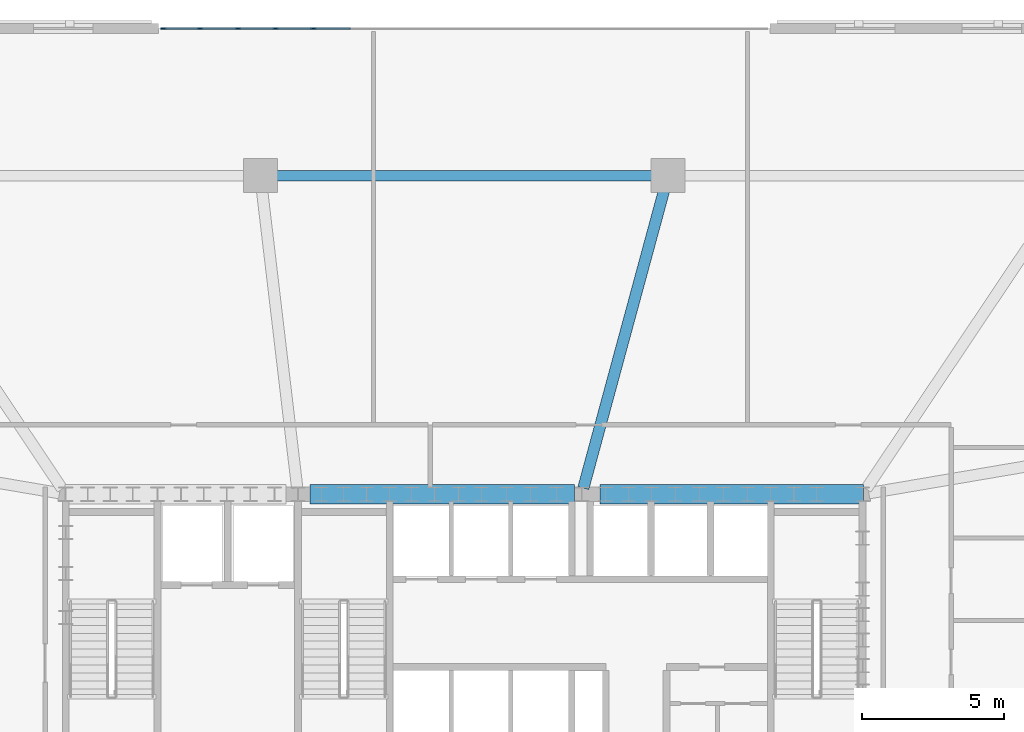
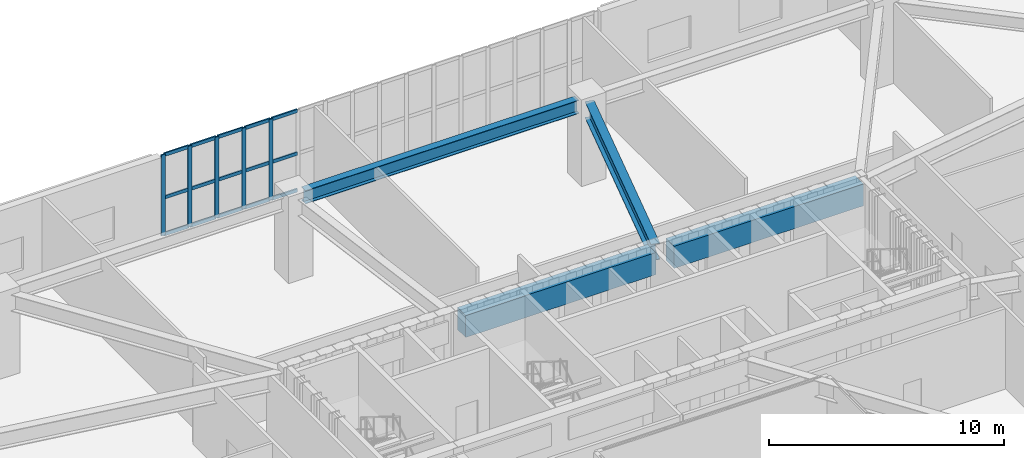
# One storey, part 9 of 25: 20 members, 4 beams, 1 element without a shape of its own.
"""IFC4 building model written with IfcOpenShell, lengths in metres."""

from ifc_helpers import new_model, si_unit, direction, frame, origin, origin_2d, place, context, subcontext, project, spatial, rectangle, i_section, extrude, material, material_profile, profile_set, type_object, element, aggregate, save


model = new_model("IFC4")

# Units and contexts
model_context = context("Model", 3, precision=1e-05, world=origin(), true_north=direction((0.0, 1.0)))
body_context = subcontext(model_context, "Body", "Model", "MODEL_VIEW")
ifc_project = project(units=[si_unit("LENGTHUNIT", "METRE"), si_unit("AREAUNIT", "SQUARE_METRE"), si_unit("VOLUMEUNIT", "CUBIC_METRE"), si_unit("PLANEANGLEUNIT", "RADIAN"), si_unit("MASSUNIT", "GRAM", prefix="KILO")], contexts=[model_context])

# Site, building, storey
site_placement = place(None, origin())
site = spatial("IfcSite", under=ifc_project, at=site_placement, CompositionType="ELEMENT")
building_placement = place(site_placement, origin())
building = spatial("IfcBuilding", under=site, at=building_placement, Name="Haldorwick Loom Tower", CompositionType="ELEMENT")
storey_placement = place(building_placement, frame((0.0, 0.0, 15.0)))
storey = spatial("IfcBuildingStorey", under=building, at=storey_placement, Name="L03", CompositionType="ELEMENT", Elevation=15.0)

# Curtain wall, members
ifc_material_1 = material(Name="Thermally Broken Anodized Aluminium Curtain Wall Framing", Category="aluminium")
curtain_wall_type = type_object("IfcCurtainWallType", Name="ARC-CW-02", PredefinedType="NOTDEFINED", material=ifc_material_1)
curtain_wall_placement = place(storey_placement, origin())
curtain_wall = element("IfcCurtainWall", 1, at=curtain_wall_placement, inside=storey, type_object=curtain_wall_type, Name="L03 Facade Curtain Wall CW-02 Bay 19", PredefinedType="NOTDEFINED")
ifc_material_profile_1 = material_profile(ifc_material_1, rectangle(XDim=0.070068359375, YDim=0.195068359375, at=origin_2d()), Name="ALU_MUL_70X195", Category="aluminium")
ifc_profile_set_1 = profile_set([ifc_material_profile_1], Name="Thermally Broken Anodized Aluminium Curtain Wall Framing")
member_type_1 = type_object("IfcMemberType", Name="ARC-CWM-02", PredefinedType="MULLION", material=ifc_profile_set_1)
member_1_placement = place(storey_placement, frame((30.669921875, 52.0, 0.0), z_axis=(0.0, 0.0, 1.0), x_axis=(0.0, -1.0, 0.0)))
member_1 = element("IfcMember", 2, at=member_1_placement, type_object=member_type_1, Name="CW-02 mullion 13", PredefinedType="MULLION", context=body_context, shape_type="SweptSolid", body=[
    extrude(rectangle(XDim=0.070068359375, YDim=0.195068359375, at=origin_2d()), origin(), (0.0, 0.0, 1.0), 4.199951171875),
])
member_2_placement = place(storey_placement, frame((29.33740234375, 52.0, 0.0), z_axis=(0.0, 0.0, 1.0), x_axis=(0.0, -1.0, 0.0)))
member_2 = element("IfcMember", 3, at=member_2_placement, type_object=member_type_1, Name="CW-02 mullion 14", PredefinedType="MULLION", context=body_context, shape_type="SweptSolid", body=[
    extrude(rectangle(XDim=0.070068359375, YDim=0.195068359375, at=origin_2d()), origin(), (0.0, 0.0, 1.0), 4.199951171875),
])
member_3_placement = place(storey_placement, frame((28.0048828125, 52.0, 0.0), z_axis=(0.0, 0.0, 1.0), x_axis=(0.0, -1.0, 0.0)))
member_3 = element("IfcMember", 4, at=member_3_placement, type_object=member_type_1, Name="CW-02 mullion 15", PredefinedType="MULLION", context=body_context, shape_type="SweptSolid", body=[
    extrude(rectangle(XDim=0.070068359375, YDim=0.195068359375, at=origin_2d()), origin(), (0.0, 0.0, 1.0), 4.199951171875),
])
member_4_placement = place(storey_placement, frame((26.672607421875, 52.0, 0.0), z_axis=(0.0, 0.0, 1.0), x_axis=(0.0, -1.0, 0.0)))
member_4 = element("IfcMember", 5, at=member_4_placement, type_object=member_type_1, Name="CW-02 mullion 16", PredefinedType="MULLION", context=body_context, shape_type="SweptSolid", body=[
    extrude(rectangle(XDim=0.070068359375, YDim=0.195068359375, at=origin_2d()), origin(), (0.0, 0.0, 1.0), 4.199951171875),
])
member_5_placement = place(storey_placement, frame((25.375, 52.0, 0.0), z_axis=(0.0, 0.0, 1.0), x_axis=(0.0, -1.0, 0.0)))
member_5 = element("IfcMember", 6, at=member_5_placement, type_object=member_type_1, Name="CW-02 mullion 17", PredefinedType="MULLION", context=body_context, shape_type="SweptSolid", body=[
    extrude(rectangle(XDim=0.070068359375, YDim=0.195068359375, at=origin_2d()), origin(), (0.0, 0.0, 1.0), 4.199951171875),
])
ifc_material_profile_2 = material_profile(ifc_material_1, rectangle(XDim=0.070068359375, YDim=0.175048828125, at=origin_2d()), Name="ALU_TRN_70X175", Category="aluminium")
ifc_profile_set_2 = profile_set([ifc_material_profile_2], Name="Thermally Broken Anodized Aluminium Curtain Wall Framing")
member_type_2 = type_object("IfcMemberType", Name="ARC-CWT-02", PredefinedType="USERDEFINED", material=ifc_profile_set_2)
member_6_placement = place(storey_placement, frame((31.967529296875, 52.0, 0.034912109375), z_axis=(-1.0, 0.0, 0.0), x_axis=(0.0, -1.0, 0.0)))
member_6 = element("IfcMember", 7, at=member_6_placement, type_object=member_type_2, Name="CW-02 transom 12.1", ObjectType="TRANSOM", PredefinedType="USERDEFINED", context=body_context, shape_type="SweptSolid", body=[
    extrude(rectangle(XDim=0.070068359375, YDim=0.175048828125, at=origin_2d()), origin(), (0.0, 0.0, 1.0), 1.262451171875),
])
member_7_placement = place(storey_placement, frame((31.967529296875, 52.0, 1.949951171875), z_axis=(-1.0, 0.0, 0.0), x_axis=(0.0, -1.0, 0.0)))
member_7 = element("IfcMember", 8, at=member_7_placement, type_object=member_type_2, Name="CW-02 transom 12.2", ObjectType="TRANSOM", PredefinedType="USERDEFINED", context=body_context, shape_type="SweptSolid", body=[
    extrude(rectangle(XDim=0.070068359375, YDim=0.175048828125, at=origin_2d()), origin(), (0.0, 0.0, 1.0), 1.262451171875),
])
member_8_placement = place(storey_placement, frame((31.967529296875, 52.0, 4.1650390625), z_axis=(-1.0, 0.0, 0.0), x_axis=(0.0, -1.0, 0.0)))
member_8 = element("IfcMember", 9, at=member_8_placement, type_object=member_type_2, Name="CW-02 transom 12.3", ObjectType="TRANSOM", PredefinedType="USERDEFINED", context=body_context, shape_type="SweptSolid", body=[
    extrude(rectangle(XDim=0.070068359375, YDim=0.175048828125, at=origin_2d()), origin(), (0.0, 0.0, 1.0), 1.262451171875),
])
member_9_placement = place(storey_placement, frame((30.635009765625, 52.0, 0.034912109375), z_axis=(-1.0, 0.0, 0.0), x_axis=(0.0, -1.0, 0.0)))
member_9 = element("IfcMember", 10, at=member_9_placement, type_object=member_type_2, Name="CW-02 transom 13.1", ObjectType="TRANSOM", PredefinedType="USERDEFINED", context=body_context, shape_type="SweptSolid", body=[
    extrude(rectangle(XDim=0.070068359375, YDim=0.175048828125, at=origin_2d()), origin(), (0.0, 0.0, 1.0), 1.262451171875),
])
member_10_placement = place(storey_placement, frame((30.635009765625, 52.0, 1.949951171875), z_axis=(-1.0, 0.0, 0.0), x_axis=(0.0, -1.0, 0.0)))
member_10 = element("IfcMember", 11, at=member_10_placement, type_object=member_type_2, Name="CW-02 transom 13.2", ObjectType="TRANSOM", PredefinedType="USERDEFINED", context=body_context, shape_type="SweptSolid", body=[
    extrude(rectangle(XDim=0.070068359375, YDim=0.175048828125, at=origin_2d()), origin(), (0.0, 0.0, 1.0), 1.262451171875),
])
member_11_placement = place(storey_placement, frame((30.635009765625, 52.0, 4.1650390625), z_axis=(-1.0, 0.0, 0.0), x_axis=(0.0, -1.0, 0.0)))
member_11 = element("IfcMember", 12, at=member_11_placement, type_object=member_type_2, Name="CW-02 transom 13.3", ObjectType="TRANSOM", PredefinedType="USERDEFINED", context=body_context, shape_type="SweptSolid", body=[
    extrude(rectangle(XDim=0.070068359375, YDim=0.175048828125, at=origin_2d()), origin(), (0.0, 0.0, 1.0), 1.262451171875),
])
member_12_placement = place(storey_placement, frame((29.302490234375, 52.0, 0.034912109375), z_axis=(-1.0, 0.0, 0.0), x_axis=(0.0, -1.0, 0.0)))
member_12 = element("IfcMember", 13, at=member_12_placement, type_object=member_type_2, Name="CW-02 transom 14.1", ObjectType="TRANSOM", PredefinedType="USERDEFINED", context=body_context, shape_type="SweptSolid", body=[
    extrude(rectangle(XDim=0.070068359375, YDim=0.175048828125, at=origin_2d()), origin(), (0.0, 0.0, 1.0), 1.262451171875),
])
member_13_placement = place(storey_placement, frame((29.302490234375, 52.0, 1.949951171875), z_axis=(-1.0, 0.0, 0.0), x_axis=(0.0, -1.0, 0.0)))
member_13 = element("IfcMember", 14, at=member_13_placement, type_object=member_type_2, Name="CW-02 transom 14.2", ObjectType="TRANSOM", PredefinedType="USERDEFINED", context=body_context, shape_type="SweptSolid", body=[
    extrude(rectangle(XDim=0.070068359375, YDim=0.175048828125, at=origin_2d()), origin(), (0.0, 0.0, 1.0), 1.262451171875),
])
member_14_placement = place(storey_placement, frame((29.302490234375, 52.0, 4.1650390625), z_axis=(-1.0, 0.0, 0.0), x_axis=(0.0, -1.0, 0.0)))
member_14 = element("IfcMember", 15, at=member_14_placement, type_object=member_type_2, Name="CW-02 transom 14.3", ObjectType="TRANSOM", PredefinedType="USERDEFINED", context=body_context, shape_type="SweptSolid", body=[
    extrude(rectangle(XDim=0.070068359375, YDim=0.175048828125, at=origin_2d()), origin(), (0.0, 0.0, 1.0), 1.262451171875),
])
member_15_placement = place(storey_placement, frame((27.969970703125, 52.0, 0.034912109375), z_axis=(-1.0, 0.0, 0.0), x_axis=(0.0, -1.0, 0.0)))
member_15 = element("IfcMember", 16, at=member_15_placement, type_object=member_type_2, Name="CW-02 transom 15.1", ObjectType="TRANSOM", PredefinedType="USERDEFINED", context=body_context, shape_type="SweptSolid", body=[
    extrude(rectangle(XDim=0.070068359375, YDim=0.175048828125, at=origin_2d()), origin(), (0.0, 0.0, 1.0), 1.262451171875),
])
member_16_placement = place(storey_placement, frame((27.969970703125, 52.0, 1.949951171875), z_axis=(-1.0, 0.0, 0.0), x_axis=(0.0, -1.0, 0.0)))
member_16 = element("IfcMember", 17, at=member_16_placement, type_object=member_type_2, Name="CW-02 transom 15.2", ObjectType="TRANSOM", PredefinedType="USERDEFINED", context=body_context, shape_type="SweptSolid", body=[
    extrude(rectangle(XDim=0.070068359375, YDim=0.175048828125, at=origin_2d()), origin(), (0.0, 0.0, 1.0), 1.262451171875),
])
member_17_placement = place(storey_placement, frame((27.969970703125, 52.0, 4.1650390625), z_axis=(-1.0, 0.0, 0.0), x_axis=(0.0, -1.0, 0.0)))
member_17 = element("IfcMember", 18, at=member_17_placement, type_object=member_type_2, Name="CW-02 transom 15.3", ObjectType="TRANSOM", PredefinedType="USERDEFINED", context=body_context, shape_type="SweptSolid", body=[
    extrude(rectangle(XDim=0.070068359375, YDim=0.175048828125, at=origin_2d()), origin(), (0.0, 0.0, 1.0), 1.262451171875),
])
member_18_placement = place(storey_placement, frame((26.637451171875, 52.0, 0.034912109375), z_axis=(-1.0, 0.0, 0.0), x_axis=(0.0, -1.0, 0.0)))
member_18 = element("IfcMember", 19, at=member_18_placement, type_object=member_type_2, Name="CW-02 transom 16.1", ObjectType="TRANSOM", PredefinedType="USERDEFINED", context=body_context, shape_type="SweptSolid", body=[
    extrude(rectangle(XDim=0.070068359375, YDim=0.175048828125, at=origin_2d()), origin(), (0.0, 0.0, 1.0), 1.2275390625),
])
member_19_placement = place(storey_placement, frame((26.637451171875, 52.0, 1.949951171875), z_axis=(-1.0, 0.0, 0.0), x_axis=(0.0, -1.0, 0.0)))
member_19 = element("IfcMember", 20, at=member_19_placement, type_object=member_type_2, Name="CW-02 transom 16.2", ObjectType="TRANSOM", PredefinedType="USERDEFINED", context=body_context, shape_type="SweptSolid", body=[
    extrude(rectangle(XDim=0.070068359375, YDim=0.175048828125, at=origin_2d()), origin(), (0.0, 0.0, 1.0), 1.2275390625),
])
member_20_placement = place(storey_placement, frame((26.637451171875, 52.0, 4.1650390625), z_axis=(-1.0, 0.0, 0.0), x_axis=(0.0, -1.0, 0.0)))
member_20 = element("IfcMember", 21, at=member_20_placement, type_object=member_type_2, Name="CW-02 transom 16.3", ObjectType="TRANSOM", PredefinedType="USERDEFINED", context=body_context, shape_type="SweptSolid", body=[
    extrude(rectangle(XDim=0.070068359375, YDim=0.175048828125, at=origin_2d()), origin(), (0.0, 0.0, 1.0), 1.2275390625),
])
aggregate(curtain_wall, [member_1, member_2, member_3, member_4, member_5, member_6, member_7, member_8, member_9, member_10, member_11, member_12, member_13, member_14, member_15, member_16, member_17, member_18, member_19, member_20])

# Beams
ifc_material_2 = material(Name="Concrete C60 (60 MPa)", Category="concrete")
ifc_material_profile_3 = material_profile(ifc_material_2, rectangle(XDim=0.699951171875, YDim=1.14990234375, at=origin_2d()), Name="RC700X1150", Category="concrete")
ifc_profile_set_3 = profile_set([ifc_material_profile_3], Name="Concrete C60 (60 MPa)")
beam_type_1 = type_object("IfcBeamType", Name="STR-BM-CB1150", PredefinedType="LINTEL", material=ifc_profile_set_3)
beam_1_placement = place(storey_placement, frame((30.550048828125, 35.550048828125, 3.625), z_axis=(1.0, 0.0, 0.0), x_axis=(0.0, 1.0, 0.0)))
element("IfcBeam", 22, at=beam_1_placement, inside=storey, type_object=beam_type_1, Name="L03 Core Coupling Beam CB-N2", PredefinedType="LINTEL", context=body_context, shape_type="SweptSolid", body=[
    extrude(rectangle(XDim=0.699951171875, YDim=1.14990234375, at=origin_2d()), origin(), (0.0, 0.0, 1.0), 9.349853515625),
])
beam_2_placement = place(storey_placement, frame((40.800048828125, 35.550048828125, 3.625), z_axis=(1.0, 0.0, 0.0), x_axis=(0.0, 1.0, 0.0)))
element("IfcBeam", 23, at=beam_2_placement, inside=storey, type_object=beam_type_1, Name="L03 Core Coupling Beam CB-N3", PredefinedType="LINTEL", context=body_context, shape_type="SweptSolid", body=[
    extrude(rectangle(XDim=0.699951171875, YDim=1.14990234375, at=origin_2d()), origin(), (0.0, 0.0, 1.0), 9.300048828125),
])
ifc_material_3 = material(Name="Steel CSA G40.21 350W", Category="steel")
ifc_material_profile_4 = material_profile(ifc_material_3, i_section(OverallWidth=0.35498046875, OverallDepth=0.695068359375, WebThickness=0.015380859375, FlangeThickness=0.02490234375, at=origin_2d()), Name="W690X217", Category="steel")
ifc_profile_set_4 = profile_set([ifc_material_profile_4], Name="Steel CSA G40.21 350W")
beam_type_2 = type_object("IfcBeamType", Name="STR-BM-SP690", PredefinedType="SPANDREL", material=ifc_profile_set_4)
beam_3_placement = place(storey_placement, frame((42.719970703125, 46.800048828125, 3.8525390625), z_axis=(-1.0, 0.0, 0.0), x_axis=(0.0, -1.0, 0.0)))
element("IfcBeam", 24, at=beam_3_placement, inside=storey, type_object=beam_type_2, Name="L03 Podium Spandrel PSP-N2", PredefinedType="SPANDREL", context=body_context, shape_type="SweptSolid", body=[
    extrude(i_section(OverallWidth=0.35498046875, OverallDepth=0.695068359375, WebThickness=0.015380859375, FlangeThickness=0.02490234375, at=origin_2d()), origin(), (0.0, 0.0, 1.0), 13.43994140625),
])
ifc_material_profile_5 = material_profile(ifc_material_3, i_section(OverallWidth=0.39990234375, OverallDepth=0.85498046875, WebThickness=0.018310546875, FlangeThickness=0.029296875, at=origin_2d()), Name="W840X299", Category="steel")
ifc_profile_set_5 = profile_set([ifc_material_profile_5], Name="Steel CSA G40.21 350W")
beam_type_3 = type_object("IfcBeamType", Name="STR-BM-W840", PredefinedType="BEAM", material=ifc_profile_set_5)
beam_4_placement = place(storey_placement, frame((43.082275390625, 46.36572265625, 3.7724609375), z_axis=(-0.261655396266, -0.965161361434, 0.0), x_axis=(0.965161361434, -0.261655396266, 0.0)))
element("IfcBeam", 25, at=beam_4_placement, inside=storey, type_object=beam_type_3, Name="L03 Podium Primary Girder PG-14", PredefinedType="BEAM", context=body_context, shape_type="SweptSolid", body=[
    extrude(i_section(OverallWidth=0.39990234375, OverallDepth=0.85498046875, WebThickness=0.018310546875, FlangeThickness=0.029296875, at=origin_2d()), origin(), (0.0, 0.0, 1.0), 10.981201171875),
])

save(model, "model.ifc")
